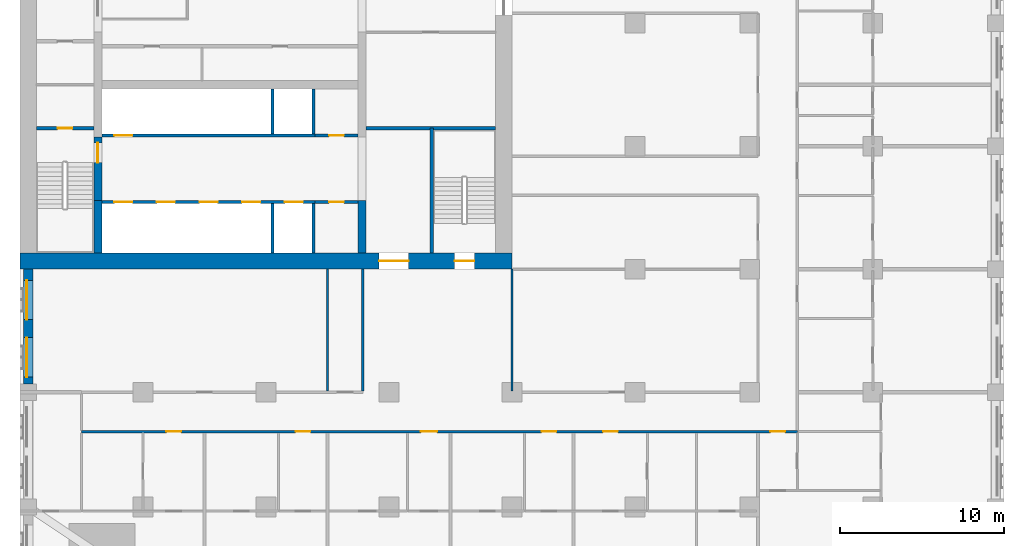
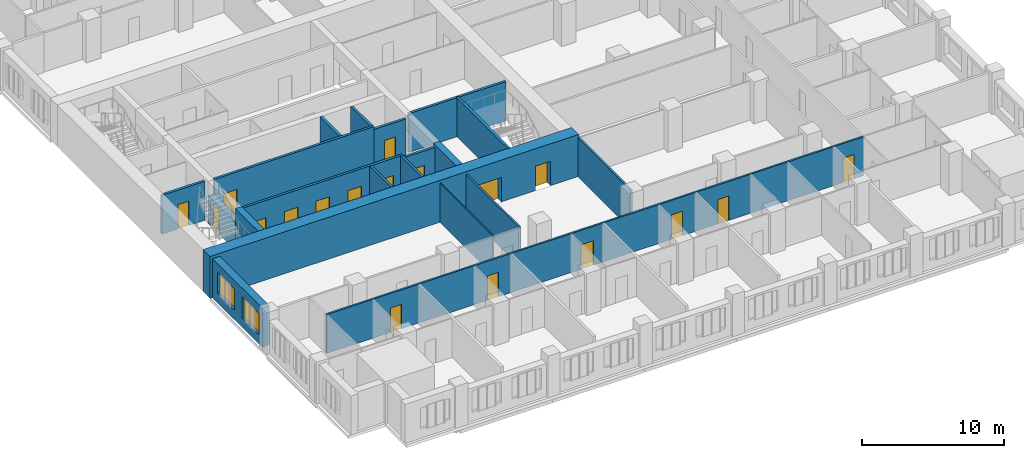
# One storey, part 5 of 14: 20 walls, 18 doors, 2 windows, 20 openings.
"""IFC4 building model written with IfcOpenShell, lengths in metres."""

from ifc_helpers import new_model, si_unit, direction, frame, frame_2d, origin, place, context, subcontext, project, spatial, rectangle, extrude, material, layer, layer_set, type_object, element, fill, save


model = new_model("IFC4")

# Units and contexts
model_context = context("Model", 3, precision=1e-05, world=origin(), true_north=direction((0.0, 1.0)))
body_context = subcontext(model_context, "Body", "Model", "MODEL_VIEW")
ifc_project = project(units=[si_unit("LENGTHUNIT", "METRE"), si_unit("AREAUNIT", "SQUARE_METRE"), si_unit("VOLUMEUNIT", "CUBIC_METRE"), si_unit("PLANEANGLEUNIT", "RADIAN"), si_unit("MASSUNIT", "GRAM", prefix="KILO")], contexts=[model_context])

# Site, building, storey
site_placement = place(None, origin())
site = spatial("IfcSite", under=ifc_project, at=site_placement, CompositionType="ELEMENT")
building_placement = place(site_placement, origin())
building = spatial("IfcBuilding", under=site, at=building_placement, Name="Tamorin Gate", CompositionType="ELEMENT")
storey_placement = place(building_placement, frame((0.0, 0.0, 66.39990234375)))
storey = spatial("IfcBuildingStorey", under=building, at=storey_placement, Name="L15", CompositionType="ELEMENT", Elevation=66.39990234375)

# Wall, openings, windows
ifc_material_1 = material(Name="Precast concrete C40/50", Category="concrete")
ifc_layer_1 = layer(ifc_material_1, 0.60009765625)
ifc_layer_set_1 = layer_set([ifc_layer_1], Name="Precast concrete C40/50")
wall_type_1 = type_object("IfcWallType", Name="Board-marked concrete facade panel 600", PredefinedType="SOLIDWALL", material=ifc_layer_set_1)
wall_1_placement = place(storey_placement, frame((30.5, 60.0, 0.0), z_axis=(0.0, 0.0, 1.0), x_axis=(0.0, -1.0, 0.0)))
wall_1 = element("IfcWall", 1, at=wall_1_placement, inside=storey, type_object=wall_type_1, Name="Facade panel", PredefinedType="SOLIDWALL", context=body_context, shape_type="SweptSolid", body=[
    extrude(rectangle(XDim=7.0, YDim=0.60009765625, at=frame_2d((3.5, 0.0))), origin(), (0.0, 0.0, 1.0), 3.35009765625),
])
opening_1_placement = place(wall_1_placement, frame((4.175048828125, 0.0, 0.800048828125)))
opening_1 = element("IfcOpeningElement", 2, at=opening_1_placement, cuts=wall_1, Name="Opening WN1", PredefinedType="OPENING", context=body_context, shape_type="SweptSolid", body=[
    extrude(rectangle(XDim=2.39990234375, YDim=1.800048828125, at=frame_2d((1.199951171875, 0.89990234375))), frame((0.0, 0.31005859375, 0.0), z_axis=(0.0, -1.0, 0.0), x_axis=(1.0, 0.0, 0.0)), (0.0, 0.0, 1.0), 0.6201171875),
])
opening_2_placement = place(wall_1_placement, frame((0.675048828125, 0.0, 0.800048828125)))
opening_2 = element("IfcOpeningElement", 3, at=opening_2_placement, cuts=wall_1, Name="Opening WN1", PredefinedType="OPENING", context=body_context, shape_type="SweptSolid", body=[
    extrude(rectangle(XDim=2.39990234375, YDim=1.800048828125, at=frame_2d((1.199951171875, 0.89990234375))), frame((0.0, 0.31005859375, 0.0), z_axis=(0.0, -1.0, 0.0), x_axis=(1.0, 0.0, 0.0)), (0.0, 0.0, 1.0), 0.6201171875),
])
ifc_material_2 = material(Name="Clear glass in aluminium frame", Category="aluminium")
window_type = type_object("IfcWindowType", Name="Deep-set window 2400x1800", PartitioningType="SINGLE_PANEL", PredefinedType="WINDOW", material=ifc_material_2)
window_1_placement = place(opening_1_placement, origin())
window_1 = element("IfcWindow", 4, at=window_1_placement, inside=storey, type_object=window_type, Name="Deep-set window", OverallHeight=1.800048828125, OverallWidth=2.39990234375, PartitioningType="SINGLE_PANEL", PredefinedType="WINDOW", context=body_context, shape_type="SweptSolid", body=[
    extrude(rectangle(XDim=2.39990234375, YDim=1.800048828125, at=frame_2d((1.199951171875, 0.89990234375))), frame((0.0, -0.070068359375, 0.0), z_axis=(0.0, -1.0, 0.0), x_axis=(1.0, 0.0, 0.0)), (0.0, 0.0, 1.0), 0.06005859375),
])
fill(opening_1, window_1)
window_2_placement = place(opening_2_placement, origin())
window_2 = element("IfcWindow", 5, at=window_2_placement, inside=storey, type_object=window_type, Name="Deep-set window", OverallHeight=1.800048828125, OverallWidth=2.39990234375, PartitioningType="SINGLE_PANEL", PredefinedType="WINDOW", context=body_context, shape_type="SweptSolid", body=[
    extrude(rectangle(XDim=2.39990234375, YDim=1.800048828125, at=frame_2d((1.199951171875, 0.89990234375))), frame((0.0, -0.070068359375, 0.0), z_axis=(0.0, -1.0, 0.0), x_axis=(1.0, 0.0, 0.0)), (0.0, 0.0, 1.0), 0.06005859375),
])
fill(opening_2, window_2)

# Wall, openings, doors
ifc_material_3 = material(Name="Gypsum board partition")
ifc_layer_2 = layer(ifc_material_3, 0.14990234375)
ifc_layer_set_2 = layer_set([ifc_layer_2], Name="Corridor wall 150")
wall_type_2 = type_object("IfcWallType", Name="Corridor wall 150", PredefinedType="PARTITIONING", material=ifc_layer_set_2)
wall_2_placement = place(storey_placement, frame((33.75, 50.10009765625, 0.0), z_axis=(0.0, 0.0, 1.0), x_axis=(1.0, 0.0, 0.0)))
wall_2 = element("IfcWall", 6, at=wall_2_placement, inside=storey, type_object=wall_type_2, Name="Corridor wall 150", PredefinedType="PARTITIONING", context=body_context, shape_type="SweptSolid", body=[
    extrude(rectangle(XDim=43.64990234375, YDim=0.14990234375, at=frame_2d((21.824951171875, 0.0))), origin(), (0.0, 0.0, 1.0), 3.35009765625),
])
opening_3_placement = place(wall_2_placement, frame((5.175048828125, 0.0, 0.0)))
opening_3 = element("IfcOpeningElement", 7, at=opening_3_placement, cuts=wall_2, Name="Opening DH2003", PredefinedType="OPENING", context=body_context, shape_type="SweptSolid", body=[
    extrude(rectangle(XDim=0.89990234375, YDim=2.10009765625, at=frame_2d((0.449951171875, 1.050048828125))), frame((0.0, 0.0849609375, 0.0), z_axis=(0.0, -1.0, 0.0), x_axis=(1.0, 0.0, 0.0)), (0.0, 0.0, 1.0), 0.169921875),
])
opening_4_placement = place(wall_2_placement, frame((13.050048828125, 0.0, 0.0)))
opening_4 = element("IfcOpeningElement", 8, at=opening_4_placement, cuts=wall_2, Name="Opening DH2006", PredefinedType="OPENING", context=body_context, shape_type="SweptSolid", body=[
    extrude(rectangle(XDim=0.89990234375, YDim=2.10009765625, at=frame_2d((0.449951171875, 1.050048828125))), frame((0.0, 0.0849609375, 0.0), z_axis=(0.0, -1.0, 0.0), x_axis=(1.0, 0.0, 0.0)), (0.0, 0.0, 1.0), 0.169921875),
])
opening_5_placement = place(wall_2_placement, frame((20.6875, 0.0, 0.0)))
opening_5 = element("IfcOpeningElement", 9, at=opening_5_placement, cuts=wall_2, Name="Opening DH2009", PredefinedType="OPENING", context=body_context, shape_type="SweptSolid", body=[
    extrude(rectangle(XDim=1.0, YDim=2.10009765625, at=frame_2d((0.5, 1.050048828125))), frame((0.0, 0.0849609375, 0.0), z_axis=(0.0, -1.0, 0.0), x_axis=(1.0, 0.0, 0.0)), (0.0, 0.0, 1.0), 0.169921875),
])
opening_6_placement = place(wall_2_placement, frame((28.050048828125, 0.0, 0.0)))
opening_6 = element("IfcOpeningElement", 10, at=opening_6_placement, cuts=wall_2, Name="Opening DH2012", PredefinedType="OPENING", context=body_context, shape_type="SweptSolid", body=[
    extrude(rectangle(XDim=0.89990234375, YDim=2.10009765625, at=frame_2d((0.449951171875, 1.050048828125))), frame((0.0, 0.0849609375, 0.0), z_axis=(0.0, -1.0, 0.0), x_axis=(1.0, 0.0, 0.0)), (0.0, 0.0, 1.0), 0.169921875),
])
opening_7_placement = place(wall_2_placement, frame((31.800048828125, 0.0, 0.0)))
opening_7 = element("IfcOpeningElement", 11, at=opening_7_placement, cuts=wall_2, Name="Opening DH2014", PredefinedType="OPENING", context=body_context, shape_type="SweptSolid", body=[
    extrude(rectangle(XDim=0.89990234375, YDim=2.10009765625, at=frame_2d((0.449951171875, 1.050048828125))), frame((0.0, 0.0849609375, 0.0), z_axis=(0.0, -1.0, 0.0), x_axis=(1.0, 0.0, 0.0)), (0.0, 0.0, 1.0), 0.169921875),
])
opening_8_placement = place(wall_2_placement, frame((42.0, 0.0, 0.0)))
opening_8 = element("IfcOpeningElement", 12, at=opening_8_placement, cuts=wall_2, Name="Opening DH2055", PredefinedType="OPENING", context=body_context, shape_type="SweptSolid", body=[
    extrude(rectangle(XDim=0.89990234375, YDim=2.10009765625, at=frame_2d((0.449951171875, 1.050048828125))), frame((0.0, 0.0849609375, 0.0), z_axis=(0.0, -1.0, 0.0), x_axis=(1.0, 0.0, 0.0)), (0.0, 0.0, 1.0), 0.169921875),
])
ifc_material_4 = material(Name="Timber door leaf", Category="wood")
door_type_1 = type_object("IfcDoorType", Name="Door 1000 x 2100 FD30S", OperationType="NOTDEFINED", PredefinedType="DOOR", material=ifc_material_4)
door_1_placement = place(opening_5_placement, origin())
door_1 = element("IfcDoor", 13, at=door_1_placement, inside=storey, type_object=door_type_1, Name="Door DH2009", OperationType="SINGLE_SWING_RIGHT", OverallHeight=2.10009765625, OverallWidth=1.0, PredefinedType="DOOR", context=body_context, shape_type="SweptSolid", body=[
    extrude(rectangle(XDim=1.0, YDim=2.10009765625, at=frame_2d((0.5, 1.050048828125))), frame((0.0, 0.02490234375, 0.0), z_axis=(0.0, -1.0, 0.0), x_axis=(1.0, 0.0, 0.0)), (0.0, 0.0, 1.0), 0.050048828125),
])
fill(opening_5, door_1)
door_type_2 = type_object("IfcDoorType", Name="Door 900 x 2100 FD30S", OperationType="NOTDEFINED", PredefinedType="DOOR", material=ifc_material_4)
door_2_placement = place(opening_3_placement, origin())
door_2 = element("IfcDoor", 14, at=door_2_placement, inside=storey, type_object=door_type_2, Name="Door DH2003", OperationType="SINGLE_SWING_RIGHT", OverallHeight=2.10009765625, OverallWidth=0.89990234375, PredefinedType="DOOR", context=body_context, shape_type="SweptSolid", body=[
    extrude(rectangle(XDim=0.89990234375, YDim=2.10009765625, at=frame_2d((0.449951171875, 1.050048828125))), frame((0.0, 0.02490234375, 0.0), z_axis=(0.0, -1.0, 0.0), x_axis=(1.0, 0.0, 0.0)), (0.0, 0.0, 1.0), 0.050048828125),
])
fill(opening_3, door_2)
door_3_placement = place(opening_4_placement, origin())
door_3 = element("IfcDoor", 15, at=door_3_placement, inside=storey, type_object=door_type_2, Name="Door DH2006", OperationType="SINGLE_SWING_RIGHT", OverallHeight=2.10009765625, OverallWidth=0.89990234375, PredefinedType="DOOR", context=body_context, shape_type="SweptSolid", body=[
    extrude(rectangle(XDim=0.89990234375, YDim=2.10009765625, at=frame_2d((0.449951171875, 1.050048828125))), frame((0.0, 0.02490234375, 0.0), z_axis=(0.0, -1.0, 0.0), x_axis=(1.0, 0.0, 0.0)), (0.0, 0.0, 1.0), 0.050048828125),
])
fill(opening_4, door_3)
door_4_placement = place(opening_6_placement, origin())
door_4 = element("IfcDoor", 16, at=door_4_placement, inside=storey, type_object=door_type_2, Name="Door DH2012", OperationType="SINGLE_SWING_RIGHT", OverallHeight=2.10009765625, OverallWidth=0.89990234375, PredefinedType="DOOR", context=body_context, shape_type="SweptSolid", body=[
    extrude(rectangle(XDim=0.89990234375, YDim=2.10009765625, at=frame_2d((0.449951171875, 1.050048828125))), frame((0.0, 0.02490234375, 0.0), z_axis=(0.0, -1.0, 0.0), x_axis=(1.0, 0.0, 0.0)), (0.0, 0.0, 1.0), 0.050048828125),
])
fill(opening_6, door_4)
door_5_placement = place(opening_7_placement, origin())
door_5 = element("IfcDoor", 17, at=door_5_placement, inside=storey, type_object=door_type_2, Name="Door DH2014", OperationType="SINGLE_SWING_RIGHT", OverallHeight=2.10009765625, OverallWidth=0.89990234375, PredefinedType="DOOR", context=body_context, shape_type="SweptSolid", body=[
    extrude(rectangle(XDim=0.89990234375, YDim=2.10009765625, at=frame_2d((0.449951171875, 1.050048828125))), frame((0.0, 0.02490234375, 0.0), z_axis=(0.0, -1.0, 0.0), x_axis=(1.0, 0.0, 0.0)), (0.0, 0.0, 1.0), 0.050048828125),
])
fill(opening_7, door_5)
door_6_placement = place(opening_8_placement, origin())
door_6 = element("IfcDoor", 18, at=door_6_placement, inside=storey, type_object=door_type_2, Name="Door DH2055", OperationType="SINGLE_SWING_LEFT", OverallHeight=2.10009765625, OverallWidth=0.89990234375, PredefinedType="DOOR", context=body_context, shape_type="SweptSolid", body=[
    extrude(rectangle(XDim=0.89990234375, YDim=2.10009765625, at=frame_2d((0.449951171875, 1.050048828125))), frame((0.0, 0.02490234375, 0.0), z_axis=(0.0, -1.0, 0.0), x_axis=(1.0, 0.0, 0.0)), (0.0, 0.0, 1.0), 0.050048828125),
])
fill(opening_8, door_6)

ifc_material_5 = material(Name="Concrete C32/40", Category="concrete")
ifc_layer_3 = layer(ifc_material_5, 0.199951171875)
ifc_layer_set_3 = layer_set([ifc_layer_3], Name="Lift lobby face wall 200 EI 120")
wall_type_3 = type_object("IfcWallType", Name="Lift lobby face wall 200 EI 120", PredefinedType="SOLIDWALL", material=ifc_layer_set_3)
wall_3_placement = place(storey_placement, frame((35.0, 64.10009765625, 0.0), z_axis=(0.0, 0.0, 1.0), x_axis=(1.0, 0.0, 0.0)))
wall_3 = element("IfcWall", 19, at=wall_3_placement, inside=storey, type_object=wall_type_3, Name="Lift lobby face wall", PredefinedType="SOLIDWALL", context=body_context, shape_type="SweptSolid", body=[
    extrude(rectangle(XDim=13.0, YDim=0.199951171875, at=frame_2d((6.5, 0.0))), origin(), (0.0, 0.0, 1.0), 3.60009765625),
])
opening_9_placement = place(wall_3_placement, frame((0.75, 0.0, 0.0)))
opening_9 = element("IfcOpeningElement", 20, at=opening_9_placement, cuts=wall_3, Name="Opening LD1", PredefinedType="OPENING", context=body_context, shape_type="SweptSolid", body=[
    extrude(rectangle(XDim=1.10009765625, YDim=2.10009765625, at=frame_2d((0.550048828125, 1.050048828125))), frame((0.0, 0.10986328125, 0.0), z_axis=(0.0, -1.0, 0.0), x_axis=(1.0, 0.0, 0.0)), (0.0, 0.0, 1.0), 0.219970703125),
])
opening_10_placement = place(wall_3_placement, frame((3.35009765625, 0.0, 0.0)))
opening_10 = element("IfcOpeningElement", 21, at=opening_10_placement, cuts=wall_3, Name="Opening LD2", PredefinedType="OPENING", context=body_context, shape_type="SweptSolid", body=[
    extrude(rectangle(XDim=1.10009765625, YDim=2.10009765625, at=frame_2d((0.550048828125, 1.050048828125))), frame((0.0, 0.10986328125, 0.0), z_axis=(0.0, -1.0, 0.0), x_axis=(1.0, 0.0, 0.0)), (0.0, 0.0, 1.0), 0.219970703125),
])
opening_11_placement = place(wall_3_placement, frame((5.949951171875, 0.0, 0.0)))
opening_11 = element("IfcOpeningElement", 22, at=opening_11_placement, cuts=wall_3, Name="Opening LD3", PredefinedType="OPENING", context=body_context, shape_type="SweptSolid", body=[
    extrude(rectangle(XDim=1.10009765625, YDim=2.10009765625, at=frame_2d((0.550048828125, 1.050048828125))), frame((0.0, 0.10986328125, 0.0), z_axis=(0.0, -1.0, 0.0), x_axis=(1.0, 0.0, 0.0)), (0.0, 0.0, 1.0), 0.219970703125),
])
opening_12_placement = place(wall_3_placement, frame((8.550048828125, 0.0, 0.0)))
opening_12 = element("IfcOpeningElement", 23, at=opening_12_placement, cuts=wall_3, Name="Opening LD4", PredefinedType="OPENING", context=body_context, shape_type="SweptSolid", body=[
    extrude(rectangle(XDim=1.10009765625, YDim=2.10009765625, at=frame_2d((0.550048828125, 1.050048828125))), frame((0.0, 0.10986328125, 0.0), z_axis=(0.0, -1.0, 0.0), x_axis=(1.0, 0.0, 0.0)), (0.0, 0.0, 1.0), 0.219970703125),
])
opening_13_placement = place(wall_3_placement, frame((11.14990234375, 0.0, 0.0)))
opening_13 = element("IfcOpeningElement", 24, at=opening_13_placement, cuts=wall_3, Name="Opening LD5", PredefinedType="OPENING", context=body_context, shape_type="SweptSolid", body=[
    extrude(rectangle(XDim=1.10009765625, YDim=2.10009765625, at=frame_2d((0.550048828125, 1.050048828125))), frame((0.0, 0.10986328125, 0.0), z_axis=(0.0, -1.0, 0.0), x_axis=(1.0, 0.0, 0.0)), (0.0, 0.0, 1.0), 0.219970703125),
])
ifc_material_6 = material(Name="Stainless steel sliding door", Category="steel")
door_type_3 = type_object("IfcDoorType", Name="Lift landing door 1100 x 2100 E 90", OperationType="DOUBLE_DOOR_SLIDING", PredefinedType="DOOR", material=ifc_material_6)
door_7_placement = place(opening_9_placement, origin())
door_7 = element("IfcDoor", 25, at=door_7_placement, inside=storey, type_object=door_type_3, Name="LR1 landing door", OperationType="DOUBLE_DOOR_SLIDING", OverallHeight=2.10009765625, OverallWidth=1.10009765625, PredefinedType="DOOR", context=body_context, shape_type="SweptSolid", body=[
    extrude(rectangle(XDim=1.10009765625, YDim=2.10009765625, at=frame_2d((0.550048828125, 1.050048828125))), frame((0.0, 0.02490234375, 0.0), z_axis=(0.0, -1.0, 0.0), x_axis=(1.0, 0.0, 0.0)), (0.0, 0.0, 1.0), 0.050048828125),
])
fill(opening_9, door_7)
door_8_placement = place(opening_10_placement, origin())
door_8 = element("IfcDoor", 26, at=door_8_placement, inside=storey, type_object=door_type_3, Name="LR2 landing door", OperationType="DOUBLE_DOOR_SLIDING", OverallHeight=2.10009765625, OverallWidth=1.10009765625, PredefinedType="DOOR", context=body_context, shape_type="SweptSolid", body=[
    extrude(rectangle(XDim=1.10009765625, YDim=2.10009765625, at=frame_2d((0.550048828125, 1.050048828125))), frame((0.0, 0.02490234375, 0.0), z_axis=(0.0, -1.0, 0.0), x_axis=(1.0, 0.0, 0.0)), (0.0, 0.0, 1.0), 0.050048828125),
])
fill(opening_10, door_8)
door_9_placement = place(opening_11_placement, origin())
door_9 = element("IfcDoor", 27, at=door_9_placement, inside=storey, type_object=door_type_3, Name="LR3 landing door", OperationType="DOUBLE_DOOR_SLIDING", OverallHeight=2.10009765625, OverallWidth=1.10009765625, PredefinedType="DOOR", context=body_context, shape_type="SweptSolid", body=[
    extrude(rectangle(XDim=1.10009765625, YDim=2.10009765625, at=frame_2d((0.550048828125, 1.050048828125))), frame((0.0, 0.02490234375, 0.0), z_axis=(0.0, -1.0, 0.0), x_axis=(1.0, 0.0, 0.0)), (0.0, 0.0, 1.0), 0.050048828125),
])
fill(opening_11, door_9)
door_10_placement = place(opening_12_placement, origin())
door_10 = element("IfcDoor", 28, at=door_10_placement, inside=storey, type_object=door_type_3, Name="LR4 landing door", OperationType="DOUBLE_DOOR_SLIDING", OverallHeight=2.10009765625, OverallWidth=1.10009765625, PredefinedType="DOOR", context=body_context, shape_type="SweptSolid", body=[
    extrude(rectangle(XDim=1.10009765625, YDim=2.10009765625, at=frame_2d((0.550048828125, 1.050048828125))), frame((0.0, 0.02490234375, 0.0), z_axis=(0.0, -1.0, 0.0), x_axis=(1.0, 0.0, 0.0)), (0.0, 0.0, 1.0), 0.050048828125),
])
fill(opening_12, door_10)
door_11_placement = place(opening_13_placement, origin())
door_11 = element("IfcDoor", 29, at=door_11_placement, inside=storey, type_object=door_type_3, Name="LR5 landing door", OperationType="DOUBLE_DOOR_SLIDING", OverallHeight=2.10009765625, OverallWidth=1.10009765625, PredefinedType="DOOR", context=body_context, shape_type="SweptSolid", body=[
    extrude(rectangle(XDim=1.10009765625, YDim=2.10009765625, at=frame_2d((0.550048828125, 1.050048828125))), frame((0.0, 0.02490234375, 0.0), z_axis=(0.0, -1.0, 0.0), x_axis=(1.0, 0.0, 0.0)), (0.0, 0.0, 1.0), 0.050048828125),
])
fill(opening_13, door_11)

# Wall, opening, door
wall_4_placement = place(storey_placement, frame((35.0, 68.14990234375, 0.0), z_axis=(0.0, 0.0, 1.0), x_axis=(1.0, 0.0, 0.0)))
wall_4 = element("IfcWall", 30, at=wall_4_placement, inside=storey, type_object=wall_type_3, Name="Lift lobby face wall", PredefinedType="SOLIDWALL", context=body_context, shape_type="SweptSolid", body=[
    extrude(rectangle(XDim=13.0, YDim=0.199951171875, at=frame_2d((6.5, 0.0))), origin(), (0.0, 0.0, 1.0), 3.60009765625),
])
opening_14_placement = place(wall_4_placement, frame((0.75, 0.0, 0.0)))
opening_14 = element("IfcOpeningElement", 31, at=opening_14_placement, cuts=wall_4, Name="Opening LD6", PredefinedType="OPENING", context=body_context, shape_type="SweptSolid", body=[
    extrude(rectangle(XDim=1.10009765625, YDim=2.10009765625, at=frame_2d((0.550048828125, 1.050048828125))), frame((0.0, 0.10986328125, 0.0), z_axis=(0.0, -1.0, 0.0), x_axis=(1.0, 0.0, 0.0)), (0.0, 0.0, 1.0), 0.219970703125),
])
door_12_placement = place(opening_14_placement, origin())
door_12 = element("IfcDoor", 32, at=door_12_placement, inside=storey, type_object=door_type_3, Name="LR6 landing door", OperationType="DOUBLE_DOOR_SLIDING", OverallHeight=2.10009765625, OverallWidth=1.10009765625, PredefinedType="DOOR", context=body_context, shape_type="SweptSolid", body=[
    extrude(rectangle(XDim=1.10009765625, YDim=2.10009765625, at=frame_2d((0.550048828125, 1.050048828125))), frame((0.0, 0.02490234375, 0.0), z_axis=(0.0, -1.0, 0.0), x_axis=(1.0, 0.0, 0.0)), (0.0, 0.0, 1.0), 0.050048828125),
])
fill(opening_14, door_12)

# Walls
ifc_layer_4 = layer(ifc_material_5, 0.199951171875)
ifc_layer_set_4 = layer_set([ifc_layer_4], Name="Lift shaft wall 200 EI 120")
wall_type_4 = type_object("IfcWallType", Name="Lift shaft wall 200 EI 120", PredefinedType="SOLIDWALL", material=ifc_layer_set_4)
for number, where, z_axis, x_axis, name in (
    (33, (45.39990234375, 61.0, 0.0), (0.0, 0.0, 1.0), (0.0, 1.0, 0.0), "Lift shaft wall"),
    (34, (47.89990234375, 61.0, 0.0), (0.0, 0.0, 1.0), (0.0, 1.0, 0.0), "Lift shaft wall"),
):
    element("IfcWall", number, at=place(storey_placement, frame(where, z_axis=z_axis, x_axis=x_axis)), inside=storey, type_object=wall_type_4, Name=name, PredefinedType="SOLIDWALL", context=body_context, shape_type="SweptSolid", body=[
        extrude(rectangle(XDim=3.0, YDim=0.199951171875, at=frame_2d((1.5, 0.0))), origin(), (0.0, 0.0, 1.0), 3.60009765625),
    ])
for number, where, z_axis, x_axis, name in (
    (35, (45.39990234375, 68.25, 0.0), (0.0, 0.0, 1.0), (0.0, 1.0, 0.0), "Lift shaft wall"),
    (36, (47.89990234375, 68.25, 0.0), (0.0, 0.0, 1.0), (0.0, 1.0, 0.0), "Lift shaft wall"),
):
    element("IfcWall", number, at=place(storey_placement, frame(where, z_axis=z_axis, x_axis=x_axis)), inside=storey, type_object=wall_type_4, Name=name, PredefinedType="SOLIDWALL", context=body_context, shape_type="SweptSolid", body=[
        extrude(rectangle(XDim=2.75, YDim=0.199951171875, at=frame_2d((1.375, 0.0))), origin(), (0.0, 0.0, 1.0), 3.60009765625),
    ])
ifc_layer_5 = layer(ifc_material_3, 0.14990234375)
ifc_layer_set_5 = layer_set([ifc_layer_5], Name="Lobby wall 150")
wall_type_5 = type_object("IfcWallType", Name="Lobby wall 150", PredefinedType="PARTITIONING", material=ifc_layer_set_5)
for number, where, z_axis, x_axis, name in (
    (37, (50.89990234375, 52.574951171875, 0.0), (0.0, 0.0, 1.0), (0.0, 1.0, 0.0), "Lobby wall 150"),
    (38, (60.0, 52.574951171875, 0.0), (0.0, 0.0, 1.0), (0.0, 1.0, 0.0), "Lobby wall 150"),
):
    element("IfcWall", number, at=place(storey_placement, frame(where, z_axis=z_axis, x_axis=x_axis)), inside=storey, type_object=wall_type_5, Name=name, PredefinedType="PARTITIONING", context=body_context, shape_type="SweptSolid", body=[
        extrude(rectangle(XDim=7.425048828125, YDim=0.14990234375, at=frame_2d((3.71240234375, 0.0))), origin(), (0.0, 0.0, 1.0), 3.35009765625),
    ])
ifc_material_7 = material(Name="Concrete C80/95", Category="concrete")
ifc_layer_6 = layer(ifc_material_7, 0.5)
ifc_layer_set_6 = layer_set([ifc_layer_6], Name="RC core internal wall 500 C80/95")
wall_type_6 = type_object("IfcWallType", Name="RC core internal wall 500 C80/95", PredefinedType="SHEAR", material=ifc_layer_set_6)
for number, where, z_axis, x_axis, name in (
    (39, (34.75, 61.0, 0.0), (0.0, 0.0, 1.0), (0.0, 1.0, 0.0), "Core cross wall L15"),
    (40, (50.85009765625, 61.0, 0.0), (0.0, 0.0, 1.0), (0.0, 1.0, 0.0), "Core cross wall L15"),
):
    element("IfcWall", number, at=place(storey_placement, frame(where, z_axis=z_axis, x_axis=x_axis)), inside=storey, type_object=wall_type_6, Name=name, PredefinedType="SHEAR", context=body_context, shape_type="SweptSolid", body=[
        extrude(rectangle(XDim=3.199951171875, YDim=0.5, at=frame_2d((1.60009765625, 0.0))), origin(), (0.0, 0.0, 1.0), 3.60009765625),
    ])

# Wall, openings, doors
ifc_layer_7 = layer(ifc_material_7, 1.0)
ifc_layer_set_7 = layer_set([ifc_layer_7], Name="RC core wall 1000 C80/95")
wall_type_7 = type_object("IfcWallType", Name="RC core wall 1000 C80/95", PredefinedType="SHEAR", material=ifc_layer_set_7)
wall_5_placement = place(storey_placement, frame((30.0, 60.5, 0.0), z_axis=(0.0, 0.0, 1.0), x_axis=(1.0, 0.0, 0.0)))
wall_5 = element("IfcWall", 41, at=wall_5_placement, inside=storey, type_object=wall_type_7, Name="Core wall L15", PredefinedType="SHEAR", context=body_context, shape_type="SweptSolid", body=[
    extrude(rectangle(XDim=30.0, YDim=1.0, at=frame_2d((15.0, 0.0))), origin(), (0.0, 0.0, 1.0), 3.60009765625),
])
opening_15_placement = place(wall_5_placement, frame((21.89990234375, 0.0, 0.0)))
opening_15 = element("IfcOpeningElement", 42, at=opening_15_placement, cuts=wall_5, Name="Opening DE1", PredefinedType="OPENING", context=body_context, shape_type="SweptSolid", body=[
    extrude(rectangle(XDim=1.800048828125, YDim=2.10009765625, at=frame_2d((0.89990234375, 1.050048828125))), frame((0.0, 0.510009765625, 0.0), z_axis=(0.0, -1.0, 0.0), x_axis=(1.0, 0.0, 0.0)), (0.0, 0.0, 1.0), 1.02001953125),
])
opening_16_placement = place(wall_5_placement, frame((26.5, 0.0, 0.0)))
opening_16 = element("IfcOpeningElement", 43, at=opening_16_placement, cuts=wall_5, Name="Opening DS1", PredefinedType="OPENING", context=body_context, shape_type="SweptSolid", body=[
    extrude(rectangle(XDim=1.199951171875, YDim=2.10009765625, at=frame_2d((0.60009765625, 1.050048828125))), frame((0.0, 0.510009765625, 0.0), z_axis=(0.0, -1.0, 0.0), x_axis=(1.0, 0.0, 0.0)), (0.0, 0.0, 1.0), 1.02001953125),
])
ifc_material_8 = material(Name="Steel fire door", Category="steel")
door_type_4 = type_object("IfcDoorType", Name="Lobby exit double door 1800 x 2100 EI 60", OperationType="DOUBLE_DOOR_SINGLE_SWING", PredefinedType="DOOR", material=ifc_material_8)
door_13_placement = place(opening_15_placement, origin())
door_13 = element("IfcDoor", 44, at=door_13_placement, inside=storey, type_object=door_type_4, Name="Lift lobby A exit door", OperationType="DOUBLE_DOOR_SINGLE_SWING", OverallHeight=2.10009765625, OverallWidth=1.800048828125, PredefinedType="DOOR", context=body_context, shape_type="SweptSolid", body=[
    extrude(rectangle(XDim=1.800048828125, YDim=2.10009765625, at=frame_2d((0.89990234375, 1.050048828125))), frame((0.0, 0.02490234375, 0.0), z_axis=(0.0, -1.0, 0.0), x_axis=(1.0, 0.0, 0.0)), (0.0, 0.0, 1.0), 0.050048828125),
])
fill(opening_15, door_13)
door_type_5 = type_object("IfcDoorType", Name="Stair door 1200 x 2100 EI 90", OperationType="SINGLE_SWING_LEFT", PredefinedType="DOOR", material=ifc_material_8)
door_14_placement = place(opening_16_placement, origin())
door_14 = element("IfcDoor", 45, at=door_14_placement, inside=storey, type_object=door_type_5, Name="ST3 door", OperationType="SINGLE_SWING_LEFT", OverallHeight=2.10009765625, OverallWidth=1.199951171875, PredefinedType="DOOR", context=body_context, shape_type="SweptSolid", body=[
    extrude(rectangle(XDim=1.199951171875, YDim=2.10009765625, at=frame_2d((0.60009765625, 1.050048828125))), frame((0.0, 0.02490234375, 0.0), z_axis=(0.0, -1.0, 0.0), x_axis=(1.0, 0.0, 0.0)), (0.0, 0.0, 1.0), 0.050048828125),
])
fill(opening_16, door_14)

# Wall
ifc_layer_8 = layer(ifc_material_3, 0.10009765625)
ifc_layer_set_8 = layer_set([ifc_layer_8], Name="Room partition 100")
wall_type_8 = type_object("IfcWallType", Name="Room partition 100", PredefinedType="PARTITIONING", material=ifc_layer_set_8)
wall_6_placement = place(storey_placement, frame((48.75, 52.574951171875, 0.0), z_axis=(0.0, 0.0, 1.0), x_axis=(0.0, 1.0, 0.0)))
element("IfcWall", 46, at=wall_6_placement, inside=storey, type_object=wall_type_8, Name="Room partition 100", PredefinedType="PARTITIONING", context=body_context, shape_type="SweptSolid", body=[
    extrude(rectangle(XDim=7.425048828125, YDim=0.10009765625, at=frame_2d((3.71240234375, 0.0))), origin(), (0.0, 0.0, 1.0), 3.35009765625),
])

# Wall, opening, door
ifc_layer_9 = layer(ifc_material_3, 0.199951171875)
ifc_layer_set_9 = layer_set([ifc_layer_9], Name="Service room face wall 200 EI 60")
wall_type_9 = type_object("IfcWallType", Name="Service room face wall 200 EI 60", PredefinedType="PARTITIONING", material=ifc_layer_set_9)
wall_7_placement = place(storey_placement, frame((48.0, 64.10009765625, 0.0), z_axis=(0.0, 0.0, 1.0), x_axis=(1.0, 0.0, 0.0)))
wall_7 = element("IfcWall", 47, at=wall_7_placement, inside=storey, type_object=wall_type_9, Name="Service room face wall", PredefinedType="PARTITIONING", context=body_context, shape_type="SweptSolid", body=[
    extrude(rectangle(XDim=2.60009765625, YDim=0.199951171875, at=frame_2d((1.300048828125, 0.0))), origin(), (0.0, 0.0, 1.0), 3.35009765625),
])
opening_17_placement = place(wall_7_placement, frame((0.85009765625, 0.0, 0.0)))
opening_17 = element("IfcOpeningElement", 48, at=opening_17_placement, cuts=wall_7, Name="Opening DK1", PredefinedType="OPENING", context=body_context, shape_type="SweptSolid", body=[
    extrude(rectangle(XDim=0.89990234375, YDim=2.10009765625, at=frame_2d((0.449951171875, 1.050048828125))), frame((0.0, 0.10986328125, 0.0), z_axis=(0.0, -1.0, 0.0), x_axis=(1.0, 0.0, 0.0)), (0.0, 0.0, 1.0), 0.219970703125),
])
ifc_material_9 = material(Name="Timber fire door", Category="wood")
door_type_6 = type_object("IfcDoorType", Name="Service room door 900 x 2100 EI 60", OperationType="SINGLE_SWING_LEFT", PredefinedType="DOOR", material=ifc_material_9)
door_15_placement = place(opening_17_placement, origin())
door_15 = element("IfcDoor", 49, at=door_15_placement, inside=storey, type_object=door_type_6, Name="Door Linen store", OperationType="SINGLE_SWING_LEFT", OverallHeight=2.10009765625, OverallWidth=0.89990234375, PredefinedType="DOOR", context=body_context, shape_type="SweptSolid", body=[
    extrude(rectangle(XDim=0.89990234375, YDim=2.10009765625, at=frame_2d((0.449951171875, 1.050048828125))), frame((0.0, 0.02490234375, 0.0), z_axis=(0.0, -1.0, 0.0), x_axis=(1.0, 0.0, 0.0)), (0.0, 0.0, 1.0), 0.050048828125),
])
fill(opening_17, door_15)

wall_8_placement = place(storey_placement, frame((48.0, 68.14990234375, 0.0), z_axis=(0.0, 0.0, 1.0), x_axis=(1.0, 0.0, 0.0)))
wall_8 = element("IfcWall", 50, at=wall_8_placement, inside=storey, type_object=wall_type_9, Name="Service room face wall", PredefinedType="PARTITIONING", context=body_context, shape_type="SweptSolid", body=[
    extrude(rectangle(XDim=2.60009765625, YDim=0.199951171875, at=frame_2d((1.300048828125, 0.0))), origin(), (0.0, 0.0, 1.0), 3.35009765625),
])
opening_18_placement = place(wall_8_placement, frame((0.85009765625, 0.0, 0.0)))
opening_18 = element("IfcOpeningElement", 51, at=opening_18_placement, cuts=wall_8, Name="Opening DK1", PredefinedType="OPENING", context=body_context, shape_type="SweptSolid", body=[
    extrude(rectangle(XDim=0.89990234375, YDim=2.10009765625, at=frame_2d((0.449951171875, 1.050048828125))), frame((0.0, 0.10986328125, 0.0), z_axis=(0.0, -1.0, 0.0), x_axis=(1.0, 0.0, 0.0)), (0.0, 0.0, 1.0), 0.219970703125),
])
door_16_placement = place(opening_18_placement, origin())
door_16 = element("IfcDoor", 52, at=door_16_placement, inside=storey, type_object=door_type_6, Name="Door Vending and ice room", OperationType="SINGLE_SWING_LEFT", OverallHeight=2.10009765625, OverallWidth=0.89990234375, PredefinedType="DOOR", context=body_context, shape_type="SweptSolid", body=[
    extrude(rectangle(XDim=0.89990234375, YDim=2.10009765625, at=frame_2d((0.449951171875, 1.050048828125))), frame((0.0, 0.02490234375, 0.0), z_axis=(0.0, -1.0, 0.0), x_axis=(1.0, 0.0, 0.0)), (0.0, 0.0, 1.0), 0.050048828125),
])
fill(opening_18, door_16)

ifc_material_10 = material(Name="Concrete C40/50", Category="concrete")
ifc_layer_10 = layer(ifc_material_10, 0.199951171875)
ifc_layer_set_10 = layer_set([ifc_layer_10], Name="Stair enclosure wall 200 EI 120 C40/50")
wall_type_10 = type_object("IfcWallType", Name="Stair enclosure wall 200 EI 120 C40/50", PredefinedType="SOLIDWALL", material=ifc_layer_set_10)
wall_9_placement = place(storey_placement, frame((31.0, 68.60009765625, 0.0), z_axis=(0.0, 0.0, 1.0), x_axis=(1.0, 0.0, 0.0)))
wall_9 = element("IfcWall", 53, at=wall_9_placement, inside=storey, type_object=wall_type_10, Name="Stair enclosure wall", PredefinedType="SOLIDWALL", context=body_context, shape_type="SweptSolid", body=[
    extrude(rectangle(XDim=3.5, YDim=0.199951171875, at=frame_2d((1.75, 0.0))), origin(), (0.0, 0.0, 1.0), 3.35009765625),
])
opening_19_placement = place(wall_9_placement, frame((1.300048828125, 0.0, 0.0)))
opening_19 = element("IfcOpeningElement", 54, at=opening_19_placement, cuts=wall_9, Name="Opening DR1", PredefinedType="OPENING", context=body_context, shape_type="SweptSolid", body=[
    extrude(rectangle(XDim=0.89990234375, YDim=2.10009765625, at=frame_2d((0.449951171875, 1.050048828125))), frame((0.0, 0.10986328125, 0.0), z_axis=(0.0, -1.0, 0.0), x_axis=(1.0, 0.0, 0.0)), (0.0, 0.0, 1.0), 0.219970703125),
])
door_type_7 = type_object("IfcDoorType", Name="Riser access door 900 x 2100 EI 120", OperationType="SINGLE_SWING_LEFT", PredefinedType="DOOR", material=ifc_material_8)
door_17_placement = place(opening_19_placement, origin())
door_17 = element("IfcDoor", 55, at=door_17_placement, inside=storey, type_object=door_type_7, Name="Electrical riser door", OperationType="SINGLE_SWING_LEFT", OverallHeight=2.10009765625, OverallWidth=0.89990234375, PredefinedType="DOOR", context=body_context, shape_type="SweptSolid", body=[
    extrude(rectangle(XDim=0.89990234375, YDim=2.10009765625, at=frame_2d((0.449951171875, 1.050048828125))), frame((0.0, 0.02490234375, 0.0), z_axis=(0.0, -1.0, 0.0), x_axis=(1.0, 0.0, 0.0)), (0.0, 0.0, 1.0), 0.050048828125),
])
fill(opening_19, door_17)

# Walls
wall_10_placement = place(storey_placement, frame((55.10009765625, 61.0, 0.0), z_axis=(0.0, 0.0, 1.0), x_axis=(0.0, 1.0, 0.0)))
element("IfcWall", 56, at=wall_10_placement, inside=storey, type_object=wall_type_10, Name="Stair enclosure wall", PredefinedType="SOLIDWALL", context=body_context, shape_type="SweptSolid", body=[
    extrude(rectangle(XDim=7.60009765625, YDim=0.199951171875, at=frame_2d((3.800048828125, 0.0))), origin(), (0.0, 0.0, 1.0), 3.35009765625),
])
wall_11_placement = place(storey_placement, frame((51.10009765625, 68.60009765625, 0.0), z_axis=(0.0, 0.0, 1.0), x_axis=(1.0, 0.0, 0.0)))
element("IfcWall", 57, at=wall_11_placement, inside=storey, type_object=wall_type_10, Name="Stair enclosure wall", PredefinedType="SOLIDWALL", context=body_context, shape_type="SweptSolid", body=[
    extrude(rectangle(XDim=7.89990234375, YDim=0.199951171875, at=frame_2d((3.949951171875, 0.0))), origin(), (0.0, 0.0, 1.0), 3.35009765625),
])

# Wall, opening, door
ifc_layer_11 = layer(ifc_material_5, 0.5)
ifc_layer_set_11 = layer_set([ifc_layer_11], Name="Stair lobby infill wall 500 EI 120")
wall_type_11 = type_object("IfcWallType", Name="Stair lobby infill wall 500 EI 120", PredefinedType="SOLIDWALL", material=ifc_layer_set_11)
wall_12_placement = place(storey_placement, frame((34.75, 64.199951171875, 0.0), z_axis=(0.0, 0.0, 1.0), x_axis=(0.0, 1.0, 0.0)))
wall_12 = element("IfcWall", 58, at=wall_12_placement, inside=storey, type_object=wall_type_11, Name="Stair lobby infill wall", PredefinedType="SOLIDWALL", context=body_context, shape_type="SweptSolid", body=[
    extrude(rectangle(XDim=3.85009765625, YDim=0.5, at=frame_2d((1.925048828125, 0.0))), origin(), (0.0, 0.0, 1.0), 2.400146484375),
])
opening_20_placement = place(wall_12_placement, frame((2.300048828125, 0.0, 0.0)))
opening_20 = element("IfcOpeningElement", 59, at=opening_20_placement, cuts=wall_12, Name="Opening DS1", PredefinedType="OPENING", context=body_context, shape_type="SweptSolid", body=[
    extrude(rectangle(XDim=1.199951171875, YDim=2.10009765625, at=frame_2d((0.60009765625, 1.050048828125))), frame((0.0, 0.260009765625, 0.0), z_axis=(0.0, -1.0, 0.0), x_axis=(1.0, 0.0, 0.0)), (0.0, 0.0, 1.0), 0.52001953125),
])
door_18_placement = place(opening_20_placement, origin())
door_18 = element("IfcDoor", 60, at=door_18_placement, inside=storey, type_object=door_type_5, Name="ST1 door", OperationType="SINGLE_SWING_LEFT", OverallHeight=2.10009765625, OverallWidth=1.199951171875, PredefinedType="DOOR", context=body_context, shape_type="SweptSolid", body=[
    extrude(rectangle(XDim=1.199951171875, YDim=2.10009765625, at=frame_2d((0.60009765625, 1.050048828125))), frame((0.0, 0.02490234375, 0.0), z_axis=(0.0, -1.0, 0.0), x_axis=(1.0, 0.0, 0.0)), (0.0, 0.0, 1.0), 0.050048828125),
])
fill(opening_20, door_18)

save(model, "model.ifc")
